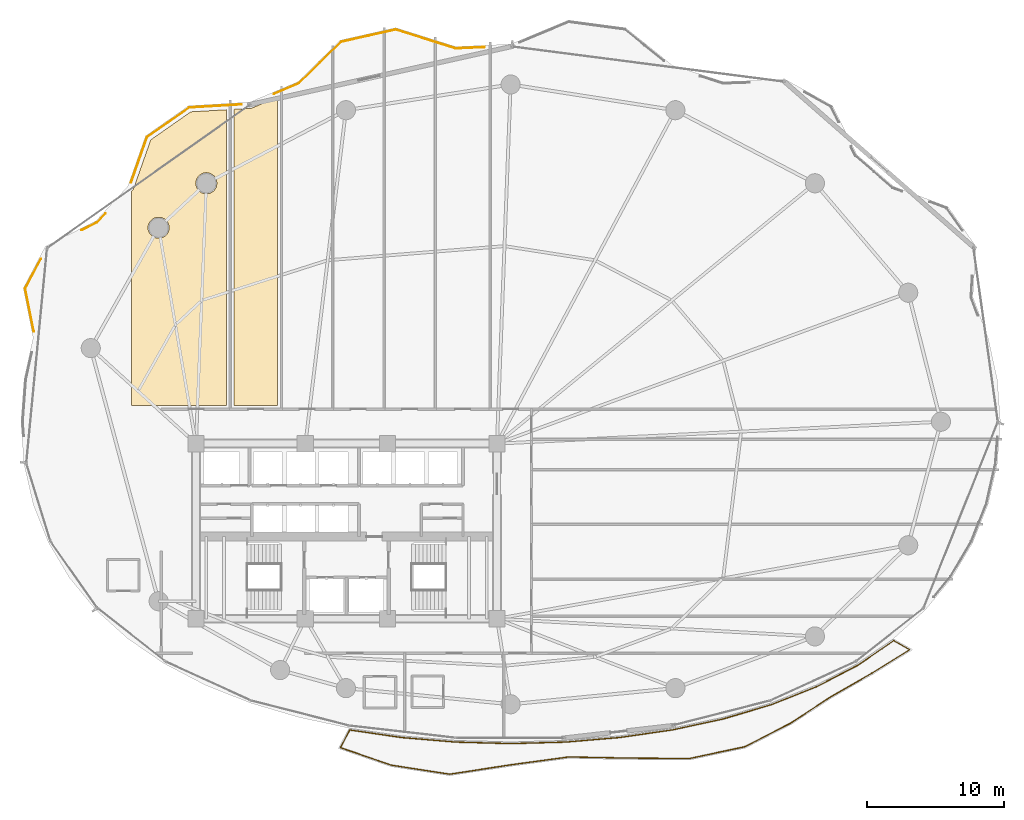
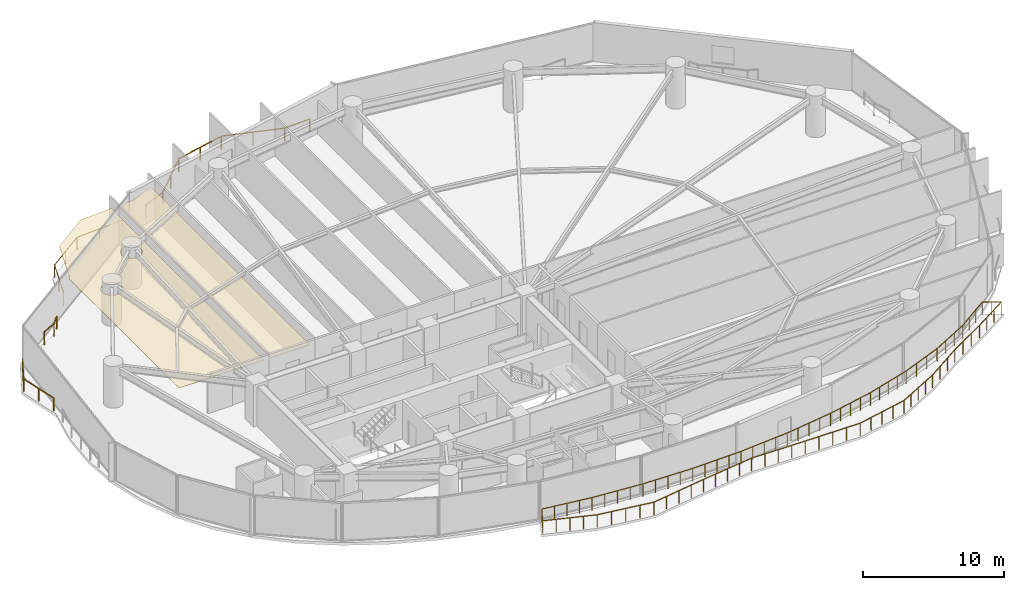
# One storey, part 31 of 32: 5 railings, 2 coverings.
"""IFC4 building model written with IfcOpenShell, lengths in metres."""

from ifc_helpers import new_model, si_unit, direction, frame, origin, origin_2d, place, context, subcontext, project, spatial, polyline, rectangle, outline, extrude, material, layer, layer_set, type_object, element, save


model = new_model("IFC4")

# Units and contexts
model_context = context("Model", 3, precision=1e-05, world=origin(), true_north=direction((0.0, 1.0)))
body_context = subcontext(model_context, "Body", "Model", "MODEL_VIEW")
ifc_project = project(units=[si_unit("LENGTHUNIT", "METRE"), si_unit("AREAUNIT", "SQUARE_METRE"), si_unit("VOLUMEUNIT", "CUBIC_METRE"), si_unit("PLANEANGLEUNIT", "RADIAN"), si_unit("MASSUNIT", "GRAM", prefix="KILO")], contexts=[model_context])

# Site, building, storey
site_placement = place(None, origin())
site = spatial("IfcSite", under=ifc_project, at=site_placement, CompositionType="ELEMENT")
building_placement = place(site_placement, origin())
building = spatial("IfcBuilding", under=site, at=building_placement, Name="Kazevale Care Tower and Concert Hall", CompositionType="ELEMENT")
storey_placement = place(building_placement, frame((0.0, 0.0, 42.0)))
storey = spatial("IfcBuildingStorey", under=building, at=storey_placement, Name="L10", CompositionType="ELEMENT", Elevation=42.0)

# Coverings
ifc_material_1 = material(Name="Acoustic Plaster and Hinoki Wood", Category="wood")
ifc_layer = layer(ifc_material_1, 0.0400390625)
ifc_layer_set = layer_set([ifc_layer], Name="Acoustic Plaster and Hinoki Wood")
covering_type = type_object("IfcCoveringType", Name="Acoustic Perforated Wood-Gypsum Ceiling", PredefinedType="CEILING", material=ifc_layer_set)
covering_1_placement = place(storey_placement, frame((0.0, 0.0, 2.7099609375)))
element("IfcCovering", 1, at=covering_1_placement, inside=storey, type_object=covering_type, Name="clg:L10:1", PredefinedType="CEILING", context=body_context, shape_type="SweptSolid", body=[
    extrude(outline(polyline([(24.219970703125, 60.805908203125), (24.219970703125, 39.205078125), (17.280029296875, 39.205078125), (17.280029296875, 54.822021484375), (17.4130859375, 54.966064453125), (18.69189453125, 58.60302734375), (21.6201171875, 60.652099609375), (24.219970703125, 60.805908203125)]), holes=[polyline([(23.48095703125, 55.72802734375), (23.31201171875, 55.98193359375), (23.05810546875, 56.15087890625), (22.760009765625, 56.2099609375), (22.4619140625, 56.15087890625), (22.2080078125, 55.98193359375), (22.0390625, 55.72802734375), (21.97998046875, 55.429931640625), (22.0390625, 55.132080078125), (22.2080078125, 54.8779296875), (22.4619140625, 54.708984375), (22.760009765625, 54.64990234375), (23.05810546875, 54.708984375), (23.31201171875, 54.8779296875), (23.48095703125, 55.132080078125), (23.5400390625, 55.429931640625), (23.48095703125, 55.72802734375)]), polyline([(20.034912109375, 52.33203125), (19.9189453125, 52.613037109375), (19.702880859375, 52.8291015625), (19.422119140625, 52.945068359375), (19.117919921875, 52.945068359375), (18.8369140625, 52.8291015625), (18.62109375, 52.613037109375), (18.5048828125, 52.33203125), (18.5048828125, 52.028076171875), (18.62109375, 51.7470703125), (18.8369140625, 51.531005859375), (19.117919921875, 51.4150390625), (19.422119140625, 51.4150390625), (19.702880859375, 51.531005859375), (19.9189453125, 51.7470703125), (20.034912109375, 52.028076171875), (20.034912109375, 52.33203125)])]), origin(), (0.0, 0.0, 1.0), 0.0400390625),
])
covering_2_placement = place(storey_placement, frame((0.0, 0.0, 2.7099609375)))
element("IfcCovering", 2, at=covering_2_placement, inside=storey, type_object=covering_type, Name="clg:L10:2", PredefinedType="CEILING", context=body_context, shape_type="SweptSolid", body=[
    extrude(outline(polyline([(24.780029296875, 39.205078125), (24.780029296875, 60.839111328125), (26.06005859375, 60.9150390625), (27.969970703125, 61.72900390625), (27.969970703125, 39.205078125), (24.780029296875, 39.205078125)])), origin(), (0.0, 0.0, 1.0), 0.0400390625),
])

# Railings
ifc_material_2 = material(Name="Anodised Bronze Aluminium and Laminated Glass", Category="aluminium")
railing_type = type_object("IfcRailingType", Name="Balcony and Terrace Balustrade 1120", PredefinedType="BALUSTRADE", material=ifc_material_2)
railing_1_placement = place(storey_placement, frame((10.15087890625, 44.5859375, 0.0)))
element("IfcRailing", 3, at=railing_1_placement, inside=storey, type_object=railing_type, Name="rail:L10:perim:2", PredefinedType="BALUSTRADE", context=body_context, shape_type="SweptSolid", body=[
    extrude(rectangle(XDim=0.048095703125, YDim=0.048095703125, at=origin_2d()), frame((0.0, 0.0, 1.09619140625), z_axis=(-0.197415517723, 0.980319903584, 0.0), x_axis=(-0.980319903584, -0.197415517723, 0.0)), (0.0, 0.0, 1.0), 3.21533203125),
    extrude(rectangle(XDim=0.048095703125, YDim=0.048095703125, at=origin_2d()), frame((-0.634765625, 3.152099609375, 1.09619140625), z_axis=(0.467294009077, 0.884101978892, 0.0), x_axis=(-0.884101978892, 0.467294009077, 0.0)), (0.0, 0.0, 1.0), 2.45654296875),
    extrude(rectangle(XDim=0.0419921875, YDim=0.0419921875, at=origin_2d()), origin(), (0.0, 0.0, 1.0), 1.072021484375),
    extrude(rectangle(XDim=0.0419921875, YDim=0.0419921875, at=origin_2d()), frame((-0.3173828125, 1.576171875, 0.0)), (0.0, 0.0, 1.0), 1.072021484375),
    extrude(rectangle(XDim=0.0419921875, YDim=0.0419921875, at=origin_2d()), frame((-0.634765625, 3.152099609375, 0.0)), (0.0, 0.0, 1.0), 1.072021484375),
    extrude(rectangle(XDim=0.0419921875, YDim=0.0419921875, at=origin_2d()), frame((-0.060791015625, 4.238037109375, 0.0)), (0.0, 0.0, 1.0), 1.072021484375),
    extrude(rectangle(XDim=0.0419921875, YDim=0.0419921875, at=origin_2d()), frame((0.51318359375, 5.323974609375, 0.0)), (0.0, 0.0, 1.0), 1.072021484375),
])
railing_2_placement = place(storey_placement, frame((13.639892578125, 52.0, 0.0)))
element("IfcRailing", 4, at=railing_2_placement, inside=storey, type_object=railing_type, Name="rail:L10:perim:3", PredefinedType="BALUSTRADE", context=body_context, shape_type="SweptSolid", body=[
    extrude(rectangle(XDim=0.048095703125, YDim=0.048095703125, at=origin_2d()), frame((0.0, 0.0, 1.09619140625), z_axis=(0.892998785329, 0.450059073235, 0.0), x_axis=(-0.450059073235, 0.892998785329, 0.0)), (0.0, 0.0, 1.0), 1.268798828125),
    extrude(rectangle(XDim=0.048095703125, YDim=0.048095703125, at=origin_2d()), frame((1.133056640625, 0.571044921875, 1.09619140625), z_axis=(0.677347108978, 0.735663573898, 0.0), x_axis=(-0.735663573898, 0.677347108978, 0.0)), (0.0, 0.0, 1.0), 0.8916015625),
    extrude(rectangle(XDim=0.0419921875, YDim=0.0419921875, at=origin_2d()), origin(), (0.0, 0.0, 1.0), 1.072021484375),
    extrude(rectangle(XDim=0.0419921875, YDim=0.0419921875, at=origin_2d()), frame((1.133056640625, 0.571044921875, 0.0)), (0.0, 0.0, 1.0), 1.072021484375),
    extrude(rectangle(XDim=0.0419921875, YDim=0.0419921875, at=origin_2d()), frame((1.737060546875, 1.22705078125, 0.0)), (0.0, 0.0, 1.0), 1.072021484375),
])
railing_3_placement = place(storey_placement, frame((17.256103515625, 55.485107421875, 0.0)))
element("IfcRailing", 5, at=railing_3_placement, inside=storey, type_object=railing_type, Name="rail:L10:perim:4", PredefinedType="BALUSTRADE", context=body_context, shape_type="SweptSolid", body=[
    extrude(rectangle(XDim=0.048095703125, YDim=0.048095703125, at=origin_2d()), frame((0.0, 0.0, 1.09619140625), z_axis=(0.331789638428, 0.943353399226, 0.0), x_axis=(-0.943353399226, 0.331789638428, 0.0)), (0.0, 0.0, 1.0), 3.520263671875),
    extrude(rectangle(XDim=0.048095703125, YDim=0.048095703125, at=origin_2d()), frame((1.16796875, 3.32080078125, 1.09619140625), z_axis=(0.819317150276, 0.573340568304, 0.0), x_axis=(-0.573340568304, 0.819317150276, 0.0)), (0.0, 0.0, 1.0), 3.767578125),
    extrude(rectangle(XDim=0.048095703125, YDim=0.048095703125, at=origin_2d()), frame((4.2548828125, 5.48095703125, 1.09619140625), z_axis=(0.998243706138, 0.05924105971, 0.0), x_axis=(-0.05924105971, 0.998243706138, 0.0)), (0.0, 0.0, 1.0), 3.832763671875),
    extrude(rectangle(XDim=0.0419921875, YDim=0.0419921875, at=origin_2d()), origin(), (0.0, 0.0, 1.0), 1.072021484375),
    extrude(rectangle(XDim=0.0419921875, YDim=0.0419921875, at=origin_2d()), frame((0.583984375, 1.660400390625, 0.0)), (0.0, 0.0, 1.0), 1.072021484375),
    extrude(rectangle(XDim=0.0419921875, YDim=0.0419921875, at=origin_2d()), frame((1.16796875, 3.32080078125, 0.0)), (0.0, 0.0, 1.0), 1.072021484375),
    extrude(rectangle(XDim=0.0419921875, YDim=0.0419921875, at=origin_2d()), frame((2.71142578125, 4.40087890625, 0.0)), (0.0, 0.0, 1.0), 1.072021484375),
    extrude(rectangle(XDim=0.0419921875, YDim=0.0419921875, at=origin_2d()), frame((4.2548828125, 5.48095703125, 0.0)), (0.0, 0.0, 1.0), 1.072021484375),
    extrude(rectangle(XDim=0.0419921875, YDim=0.0419921875, at=origin_2d()), frame((6.16796875, 5.594482421875, 0.0)), (0.0, 0.0, 1.0), 1.072021484375),
    extrude(rectangle(XDim=0.0419921875, YDim=0.0419921875, at=origin_2d()), frame((8.080810546875, 5.7080078125, 0.0)), (0.0, 0.0, 1.0), 1.072021484375),
])
railing_4_placement = place(storey_placement, frame((27.69091796875, 61.9580078125, 0.0)))
element("IfcRailing", 6, at=railing_4_placement, inside=storey, type_object=railing_type, Name="rail:L10:perim:5", PredefinedType="BALUSTRADE", context=body_context, shape_type="SweptSolid", body=[
    extrude(rectangle(XDim=0.048095703125, YDim=0.048095703125, at=origin_2d()), frame((0.0, 0.0, 1.09619140625), z_axis=(0.920032063091, 0.391843084517, 0.0), x_axis=(-0.391843084517, 0.920032063091, 0.0)), (0.0, 0.0, 1.0), 2.01611328125),
    extrude(rectangle(XDim=0.048095703125, YDim=0.048095703125, at=origin_2d()), frame((1.85498046875, 0.7900390625, 1.09619140625), z_axis=(0.711782228396, 0.702400213083, 0.0), x_axis=(-0.702400213083, 0.711782228396, 0.0)), (0.0, 0.0, 1.0), 4.293701171875),
    extrude(rectangle(XDim=0.048095703125, YDim=0.048095703125, at=origin_2d()), frame((4.9111328125, 3.805908203125, 1.09619140625), z_axis=(0.975507116128, 0.219967875798, 0.0), x_axis=(-0.219967875798, 0.975507116128, 0.0)), (0.0, 0.0, 1.0), 4.09228515625),
    extrude(rectangle(XDim=0.048095703125, YDim=0.048095703125, at=origin_2d()), frame((8.903076171875, 4.7060546875, 1.09619140625), z_axis=(0.953872379176, -0.300212398553, 0.0), x_axis=(0.300212398553, 0.953872379176, 0.0)), (0.0, 0.0, 1.0), 4.590576171875),
    extrude(rectangle(XDim=0.048095703125, YDim=0.048095703125, at=origin_2d()), frame((13.281982421875, 3.327880859375, 1.09619140625), z_axis=(0.999070924125, 0.043096270926, 0.0), x_axis=(-0.043096270926, 0.999070924125, 0.0)), (0.0, 0.0, 1.0), 2.113037109375),
    extrude(rectangle(XDim=0.0419921875, YDim=0.0419921875, at=origin_2d()), origin(), (0.0, 0.0, 1.0), 1.072021484375),
    extrude(rectangle(XDim=0.0419921875, YDim=0.0419921875, at=origin_2d()), frame((1.85498046875, 0.7900390625, 0.0)), (0.0, 0.0, 1.0), 1.072021484375),
    extrude(rectangle(XDim=0.0419921875, YDim=0.0419921875, at=origin_2d()), frame((3.383056640625, 2.2978515625, 0.0)), (0.0, 0.0, 1.0), 1.072021484375),
    extrude(rectangle(XDim=0.0419921875, YDim=0.0419921875, at=origin_2d()), frame((4.9111328125, 3.805908203125, 0.0)), (0.0, 0.0, 1.0), 1.072021484375),
    extrude(rectangle(XDim=0.0419921875, YDim=0.0419921875, at=origin_2d()), frame((6.9072265625, 4.255859375, 0.0)), (0.0, 0.0, 1.0), 1.072021484375),
    extrude(rectangle(XDim=0.0419921875, YDim=0.0419921875, at=origin_2d()), frame((8.903076171875, 4.7060546875, 0.0)), (0.0, 0.0, 1.0), 1.072021484375),
    extrude(rectangle(XDim=0.0419921875, YDim=0.0419921875, at=origin_2d()), frame((11.092529296875, 4.01708984375, 0.0)), (0.0, 0.0, 1.0), 1.072021484375),
    extrude(rectangle(XDim=0.0419921875, YDim=0.0419921875, at=origin_2d()), frame((13.281982421875, 3.327880859375, 0.0)), (0.0, 0.0, 1.0), 1.072021484375),
    extrude(rectangle(XDim=0.0419921875, YDim=0.0419921875, at=origin_2d()), frame((15.39306640625, 3.4189453125, 0.0)), (0.0, 0.0, 1.0), 1.072021484375),
])
railing_5_placement = place(storey_placement, frame((33.239990234375, 15.469970703125, 0.0)))
element("IfcRailing", 7, at=railing_5_placement, inside=storey, type_object=railing_type, Name="rail:L10:balcony", PredefinedType="BALUSTRADE", context=body_context, shape_type="SweptSolid", body=[
    extrude(rectangle(XDim=0.048095703125, YDim=0.048095703125, at=origin_2d()), frame((0.0, 0.0, 1.09619140625), z_axis=(0.98954153526, -0.144248223541, 0.0), x_axis=(0.144248223541, 0.98954153526, 0.0)), (0.0, 0.0, 1.0), 3.820068359375),
    extrude(rectangle(XDim=0.048095703125, YDim=0.048095703125, at=origin_2d()), frame((3.780029296875, -0.551025390625, 1.09619140625), z_axis=(0.996491809711, -0.083690341016, 0.0), x_axis=(0.083690341016, 0.996491809711, 0.0)), (0.0, 0.0, 1.0), 3.97900390625),
    extrude(rectangle(XDim=0.048095703125, YDim=0.048095703125, at=origin_2d()), frame((7.7451171875, -0.884033203125, 1.09619140625), z_axis=(0.999619139625, -0.027596660954, 0.0), x_axis=(0.027596660954, 0.999619139625, 0.0)), (0.0, 0.0, 1.0), 4.016357421875),
    extrude(rectangle(XDim=0.048095703125, YDim=0.048095703125, at=origin_2d()), frame((11.760009765625, -0.994873046875, 1.09619140625), z_axis=(0.999619139625, 0.027596660954, 0.0), x_axis=(-0.027596660954, 0.999619139625, 0.0)), (0.0, 0.0, 1.0), 4.016357421875),
    extrude(rectangle(XDim=0.048095703125, YDim=0.048095703125, at=origin_2d()), frame((15.77490234375, -0.884033203125, 1.09619140625), z_axis=(0.996491809711, 0.083690341016, 0.0), x_axis=(-0.083690341016, 0.996491809711, 0.0)), (0.0, 0.0, 1.0), 3.97900390625),
    extrude(rectangle(XDim=0.048095703125, YDim=0.048095703125, at=origin_2d()), frame((19.739990234375, -0.551025390625, 1.09619140625), z_axis=(0.989562148583, 0.144106745477, 0.0), x_axis=(-0.144106745477, 0.989562148583, 0.0)), (0.0, 0.0, 1.0), 3.90673828125),
    extrude(rectangle(XDim=0.048095703125, YDim=0.048095703125, at=origin_2d()), frame((23.60595703125, 0.011962890625, 1.09619140625), z_axis=(0.977622623243, 0.210366362622, 0.0), x_axis=(-0.210366362622, 0.977622623243, 0.0)), (0.0, 0.0, 1.0), 3.80322265625),
    extrude(rectangle(XDim=0.048095703125, YDim=0.048095703125, at=origin_2d()), frame((27.323974609375, 0.81201171875, 1.09619140625), z_axis=(0.958576059845, 0.28483668565, 0.0), x_axis=(-0.28483668565, 0.958576059845, 0.0)), (0.0, 0.0, 1.0), 3.67626953125),
    extrude(rectangle(XDim=0.048095703125, YDim=0.048095703125, at=origin_2d()), frame((30.847900390625, 1.859130859375, 1.09619140625), z_axis=(0.929364745906, 0.369162794803, 0.0), x_axis=(-0.369162794803, 0.929364745906, 0.0)), (0.0, 0.0, 1.0), 3.534912109375),
    extrude(rectangle(XDim=0.048095703125, YDim=0.048095703125, at=origin_2d()), frame((34.133056640625, 3.1640625, 1.09619140625), z_axis=(0.886249621896, 0.463207952965, 0.0), x_axis=(-0.463207952965, 0.886249621896, 0.0)), (0.0, 0.0, 1.0), 3.3916015625),
    extrude(rectangle(XDim=0.048095703125, YDim=0.048095703125, at=origin_2d()), frame((37.138916015625, 4.735107421875, 1.09619140625), z_axis=(0.825224295989, 0.564805153402, 0.0), x_axis=(-0.564805153402, 0.825224295989, 0.0)), (0.0, 0.0, 1.0), 3.17626953125),
    extrude(rectangle(XDim=0.048095703125, YDim=0.048095703125, at=origin_2d()), frame((39.760009765625, 6.529052734375, 1.09619140625), z_axis=(0.870074231568, -0.49292071529, 0.0), x_axis=(0.49292071529, 0.870074231568, 0.0)), (0.0, 0.0, 1.0), 1.34130859375),
    extrude(rectangle(XDim=0.048095703125, YDim=0.048095703125, at=origin_2d()), frame((40.927001953125, 5.867919921875, 1.09619140625), z_axis=(-0.849366024121, -0.52780427913, 0.0), x_axis=(0.52780427913, -0.849366024121, 0.0)), (0.0, 0.0, 1.0), 3.262451171875),
    extrude(rectangle(XDim=0.048095703125, YDim=0.048095703125, at=origin_2d()), frame((38.156005859375, 4.14599609375, 1.09619140625), z_axis=(-0.867074580716, -0.498178353078, 0.0), x_axis=(0.498178353078, -0.867074580716, 0.0)), (0.0, 0.0, 1.0), 3.478515625),
    extrude(rectangle(XDim=0.048095703125, YDim=0.048095703125, at=origin_2d()), frame((35.139892578125, 2.4130859375, 1.09619140625), z_axis=(-0.836151980864, -0.548497825791, 0.0), x_axis=(0.548497825791, -0.836151980864, 0.0)), (0.0, 0.0, 1.0), 3.496826171875),
    extrude(rectangle(XDim=0.048095703125, YDim=0.048095703125, at=origin_2d()), frame((32.216064453125, 0.4951171875, 1.09619140625), z_axis=(-0.889021964417, -0.457864550695, 0.0), x_axis=(0.457864550695, -0.889021964417, 0.0)), (0.0, 0.0, 1.0), 3.748046875),
    extrude(rectangle(XDim=0.048095703125, YDim=0.048095703125, at=origin_2d()), frame((28.884033203125, -1.220947265625, 1.09619140625), z_axis=(-0.978051319828, -0.208364142266, 0.0), x_axis=(0.208364142266, -0.978051319828, 0.0)), (0.0, 0.0, 1.0), 4.165283203125),
    extrude(rectangle(XDim=0.048095703125, YDim=0.048095703125, at=origin_2d()), frame((24.81005859375, -2.0888671875, 1.09619140625), z_axis=(-0.9999695836, 0.007799479135, 0.0), x_axis=(-0.007799479135, -0.9999695836, 0.0)), (0.0, 0.0, 1.0), 4.476318359375),
    extrude(rectangle(XDim=0.048095703125, YDim=0.048095703125, at=origin_2d()), frame((20.333984375, -2.053955078125, 1.09619140625), z_axis=(-0.999817479955, 0.019105150519, 0.0), x_axis=(-0.019105150519, -0.999817479955, 0.0)), (0.0, 0.0, 1.0), 4.3447265625),
    extrude(rectangle(XDim=0.048095703125, YDim=0.048095703125, at=origin_2d()), frame((15.989990234375, -1.970947265625, 1.09619140625), z_axis=(-0.99083155438, -0.135103037882, 0.0), x_axis=(0.135103037882, -0.99083155438, 0.0)), (0.0, 0.0, 1.0), 4.286376953125),
    extrude(rectangle(XDim=0.048095703125, YDim=0.048095703125, at=origin_2d()), frame((11.742919921875, -2.550048828125, 1.09619140625), z_axis=(-0.988433847852, -0.151652657149, 0.0), x_axis=(0.151652657149, -0.988433847852, 0.0)), (0.0, 0.0, 1.0), 4.489990234375),
    extrude(rectangle(XDim=0.048095703125, YDim=0.048095703125, at=origin_2d()), frame((7.304931640625, -3.23095703125, 1.09619140625), z_axis=(-0.988250449008, 0.152843220442, 0.0), x_axis=(-0.152843220442, -0.988250449008, 0.0)), (0.0, 0.0, 1.0), 4.317626953125),
    extrude(rectangle(XDim=0.048095703125, YDim=0.048095703125, at=origin_2d()), frame((3.0380859375, -2.571044921875, 1.09619140625), z_axis=(-0.945380238076, 0.325969638856, 0.0), x_axis=(-0.325969638856, -0.945380238076, 0.0)), (0.0, 0.0, 1.0), 3.932861328125),
    extrude(rectangle(XDim=0.048095703125, YDim=0.048095703125, at=origin_2d()), frame((-0.679931640625, -1.2890625, 1.09619140625), z_axis=(0.466540234237, 0.884499977297, 0.0), x_axis=(-0.884499977297, 0.466540234237, 0.0)), (0.0, 0.0, 1.0), 1.457275390625),
    extrude(rectangle(XDim=0.0419921875, YDim=0.0419921875, at=origin_2d()), origin(), (0.0, 0.0, 1.0), 1.072021484375),
    extrude(rectangle(XDim=0.0419921875, YDim=0.0419921875, at=origin_2d()), frame((0.945068359375, -0.1376953125, 0.0)), (0.0, 0.0, 1.0), 1.072021484375),
    extrude(rectangle(XDim=0.0419921875, YDim=0.0419921875, at=origin_2d()), frame((1.89013671875, -0.275390625, 0.0)), (0.0, 0.0, 1.0), 1.072021484375),
    extrude(rectangle(XDim=0.0419921875, YDim=0.0419921875, at=origin_2d()), frame((2.8349609375, -0.413330078125, 0.0)), (0.0, 0.0, 1.0), 1.072021484375),
    extrude(rectangle(XDim=0.0419921875, YDim=0.0419921875, at=origin_2d()), frame((3.780029296875, -0.551025390625, 0.0)), (0.0, 0.0, 1.0), 1.072021484375),
    extrude(rectangle(XDim=0.0419921875, YDim=0.0419921875, at=origin_2d()), frame((4.771240234375, -0.63427734375, 0.0)), (0.0, 0.0, 1.0), 1.072021484375),
    extrude(rectangle(XDim=0.0419921875, YDim=0.0419921875, at=origin_2d()), frame((5.7626953125, -0.717529296875, 0.0)), (0.0, 0.0, 1.0), 1.072021484375),
    extrude(rectangle(XDim=0.0419921875, YDim=0.0419921875, at=origin_2d()), frame((6.75390625, -0.80078125, 0.0)), (0.0, 0.0, 1.0), 1.072021484375),
    extrude(rectangle(XDim=0.0419921875, YDim=0.0419921875, at=origin_2d()), frame((7.7451171875, -0.884033203125, 0.0)), (0.0, 0.0, 1.0), 1.072021484375),
    extrude(rectangle(XDim=0.0419921875, YDim=0.0419921875, at=origin_2d()), frame((8.748779296875, -0.91162109375, 0.0)), (0.0, 0.0, 1.0), 1.072021484375),
    extrude(rectangle(XDim=0.0419921875, YDim=0.0419921875, at=origin_2d()), frame((9.75244140625, -0.939453125, 0.0)), (0.0, 0.0, 1.0), 1.072021484375),
    extrude(rectangle(XDim=0.0419921875, YDim=0.0419921875, at=origin_2d()), frame((10.75634765625, -0.96728515625, 0.0)), (0.0, 0.0, 1.0), 1.072021484375),
    extrude(rectangle(XDim=0.0419921875, YDim=0.0419921875, at=origin_2d()), frame((11.760009765625, -0.994873046875, 0.0)), (0.0, 0.0, 1.0), 1.072021484375),
    extrude(rectangle(XDim=0.0419921875, YDim=0.0419921875, at=origin_2d()), frame((12.763671875, -0.96728515625, 0.0)), (0.0, 0.0, 1.0), 1.072021484375),
    extrude(rectangle(XDim=0.0419921875, YDim=0.0419921875, at=origin_2d()), frame((13.767578125, -0.939453125, 0.0)), (0.0, 0.0, 1.0), 1.072021484375),
    extrude(rectangle(XDim=0.0419921875, YDim=0.0419921875, at=origin_2d()), frame((14.771240234375, -0.91162109375, 0.0)), (0.0, 0.0, 1.0), 1.072021484375),
    extrude(rectangle(XDim=0.0419921875, YDim=0.0419921875, at=origin_2d()), frame((15.77490234375, -0.884033203125, 0.0)), (0.0, 0.0, 1.0), 1.072021484375),
    extrude(rectangle(XDim=0.0419921875, YDim=0.0419921875, at=origin_2d()), frame((16.76611328125, -0.80078125, 0.0)), (0.0, 0.0, 1.0), 1.072021484375),
    extrude(rectangle(XDim=0.0419921875, YDim=0.0419921875, at=origin_2d()), frame((17.75732421875, -0.717529296875, 0.0)), (0.0, 0.0, 1.0), 1.072021484375),
    extrude(rectangle(XDim=0.0419921875, YDim=0.0419921875, at=origin_2d()), frame((18.748779296875, -0.63427734375, 0.0)), (0.0, 0.0, 1.0), 1.072021484375),
    extrude(rectangle(XDim=0.0419921875, YDim=0.0419921875, at=origin_2d()), frame((19.739990234375, -0.551025390625, 0.0)), (0.0, 0.0, 1.0), 1.072021484375),
    extrude(rectangle(XDim=0.0419921875, YDim=0.0419921875, at=origin_2d()), frame((20.70654296875, -0.41015625, 0.0)), (0.0, 0.0, 1.0), 1.072021484375),
    extrude(rectangle(XDim=0.0419921875, YDim=0.0419921875, at=origin_2d()), frame((21.6728515625, -0.26953125, 0.0)), (0.0, 0.0, 1.0), 1.072021484375),
    extrude(rectangle(XDim=0.0419921875, YDim=0.0419921875, at=origin_2d()), frame((22.639404296875, -0.12890625, 0.0)), (0.0, 0.0, 1.0), 1.072021484375),
    extrude(rectangle(XDim=0.0419921875, YDim=0.0419921875, at=origin_2d()), frame((23.60595703125, 0.011962890625, 0.0)), (0.0, 0.0, 1.0), 1.072021484375),
    extrude(rectangle(XDim=0.0419921875, YDim=0.0419921875, at=origin_2d()), frame((24.535400390625, 0.2119140625, 0.0)), (0.0, 0.0, 1.0), 1.072021484375),
    extrude(rectangle(XDim=0.0419921875, YDim=0.0419921875, at=origin_2d()), frame((25.46484375, 0.412109375, 0.0)), (0.0, 0.0, 1.0), 1.072021484375),
    extrude(rectangle(XDim=0.0419921875, YDim=0.0419921875, at=origin_2d()), frame((26.39453125, 0.612060546875, 0.0)), (0.0, 0.0, 1.0), 1.072021484375),
    extrude(rectangle(XDim=0.0419921875, YDim=0.0419921875, at=origin_2d()), frame((27.323974609375, 0.81201171875, 0.0)), (0.0, 0.0, 1.0), 1.072021484375),
    extrude(rectangle(XDim=0.0419921875, YDim=0.0419921875, at=origin_2d()), frame((28.205078125, 1.07373046875, 0.0)), (0.0, 0.0, 1.0), 1.072021484375),
    extrude(rectangle(XDim=0.0419921875, YDim=0.0419921875, at=origin_2d()), frame((29.0859375, 1.33544921875, 0.0)), (0.0, 0.0, 1.0), 1.072021484375),
    extrude(rectangle(XDim=0.0419921875, YDim=0.0419921875, at=origin_2d()), frame((29.966796875, 1.597412109375, 0.0)), (0.0, 0.0, 1.0), 1.072021484375),
    extrude(rectangle(XDim=0.0419921875, YDim=0.0419921875, at=origin_2d()), frame((30.847900390625, 1.859130859375, 0.0)), (0.0, 0.0, 1.0), 1.072021484375),
    extrude(rectangle(XDim=0.0419921875, YDim=0.0419921875, at=origin_2d()), frame((31.94287109375, 2.294189453125, 0.0)), (0.0, 0.0, 1.0), 1.072021484375),
    extrude(rectangle(XDim=0.0419921875, YDim=0.0419921875, at=origin_2d()), frame((33.0380859375, 2.72900390625, 0.0)), (0.0, 0.0, 1.0), 1.072021484375),
    extrude(rectangle(XDim=0.0419921875, YDim=0.0419921875, at=origin_2d()), frame((34.133056640625, 3.1640625, 0.0)), (0.0, 0.0, 1.0), 1.072021484375),
    extrude(rectangle(XDim=0.0419921875, YDim=0.0419921875, at=origin_2d()), frame((35.135009765625, 3.687744140625, 0.0)), (0.0, 0.0, 1.0), 1.072021484375),
    extrude(rectangle(XDim=0.0419921875, YDim=0.0419921875, at=origin_2d()), frame((36.136962890625, 4.21142578125, 0.0)), (0.0, 0.0, 1.0), 1.072021484375),
    extrude(rectangle(XDim=0.0419921875, YDim=0.0419921875, at=origin_2d()), frame((37.138916015625, 4.735107421875, 0.0)), (0.0, 0.0, 1.0), 1.072021484375),
    extrude(rectangle(XDim=0.0419921875, YDim=0.0419921875, at=origin_2d()), frame((38.0126953125, 5.3330078125, 0.0)), (0.0, 0.0, 1.0), 1.072021484375),
    extrude(rectangle(XDim=0.0419921875, YDim=0.0419921875, at=origin_2d()), frame((38.88623046875, 5.93115234375, 0.0)), (0.0, 0.0, 1.0), 1.072021484375),
    extrude(rectangle(XDim=0.0419921875, YDim=0.0419921875, at=origin_2d()), frame((39.760009765625, 6.529052734375, 0.0)), (0.0, 0.0, 1.0), 1.072021484375),
    extrude(rectangle(XDim=0.0419921875, YDim=0.0419921875, at=origin_2d()), frame((40.343505859375, 6.198486328125, 0.0)), (0.0, 0.0, 1.0), 1.072021484375),
    extrude(rectangle(XDim=0.0419921875, YDim=0.0419921875, at=origin_2d()), frame((40.927001953125, 5.867919921875, 0.0)), (0.0, 0.0, 1.0), 1.072021484375),
    extrude(rectangle(XDim=0.0419921875, YDim=0.0419921875, at=origin_2d()), frame((40.00341796875, 5.2939453125, 0.0)), (0.0, 0.0, 1.0), 1.072021484375),
    extrude(rectangle(XDim=0.0419921875, YDim=0.0419921875, at=origin_2d()), frame((39.07958984375, 4.719970703125, 0.0)), (0.0, 0.0, 1.0), 1.072021484375),
    extrude(rectangle(XDim=0.0419921875, YDim=0.0419921875, at=origin_2d()), frame((38.156005859375, 4.14599609375, 0.0)), (0.0, 0.0, 1.0), 1.072021484375),
    extrude(rectangle(XDim=0.0419921875, YDim=0.0419921875, at=origin_2d()), frame((37.150634765625, 3.568359375, 0.0)), (0.0, 0.0, 1.0), 1.072021484375),
    extrude(rectangle(XDim=0.0419921875, YDim=0.0419921875, at=origin_2d()), frame((36.145263671875, 2.99072265625, 0.0)), (0.0, 0.0, 1.0), 1.072021484375),
    extrude(rectangle(XDim=0.0419921875, YDim=0.0419921875, at=origin_2d()), frame((35.139892578125, 2.4130859375, 0.0)), (0.0, 0.0, 1.0), 1.072021484375),
    extrude(rectangle(XDim=0.0419921875, YDim=0.0419921875, at=origin_2d()), frame((34.165283203125, 1.773681640625, 0.0)), (0.0, 0.0, 1.0), 1.072021484375),
    extrude(rectangle(XDim=0.0419921875, YDim=0.0419921875, at=origin_2d()), frame((33.190673828125, 1.134521484375, 0.0)), (0.0, 0.0, 1.0), 1.072021484375),
    extrude(rectangle(XDim=0.0419921875, YDim=0.0419921875, at=origin_2d()), frame((32.216064453125, 0.4951171875, 0.0)), (0.0, 0.0, 1.0), 1.072021484375),
    extrude(rectangle(XDim=0.0419921875, YDim=0.0419921875, at=origin_2d()), frame((31.383056640625, 0.066162109375, 0.0)), (0.0, 0.0, 1.0), 1.072021484375),
    extrude(rectangle(XDim=0.0419921875, YDim=0.0419921875, at=origin_2d()), frame((30.550048828125, -0.36279296875, 0.0)), (0.0, 0.0, 1.0), 1.072021484375),
    extrude(rectangle(XDim=0.0419921875, YDim=0.0419921875, at=origin_2d()), frame((29.717041015625, -0.7919921875, 0.0)), (0.0, 0.0, 1.0), 1.072021484375),
    extrude(rectangle(XDim=0.0419921875, YDim=0.0419921875, at=origin_2d()), frame((28.884033203125, -1.220947265625, 0.0)), (0.0, 0.0, 1.0), 1.072021484375),
    extrude(rectangle(XDim=0.0419921875, YDim=0.0419921875, at=origin_2d()), frame((27.865478515625, -1.43798828125, 0.0)), (0.0, 0.0, 1.0), 1.072021484375),
    extrude(rectangle(XDim=0.0419921875, YDim=0.0419921875, at=origin_2d()), frame((26.84716796875, -1.65478515625, 0.0)), (0.0, 0.0, 1.0), 1.072021484375),
    extrude(rectangle(XDim=0.0419921875, YDim=0.0419921875, at=origin_2d()), frame((25.82861328125, -1.871826171875, 0.0)), (0.0, 0.0, 1.0), 1.072021484375),
    extrude(rectangle(XDim=0.0419921875, YDim=0.0419921875, at=origin_2d()), frame((24.81005859375, -2.0888671875, 0.0)), (0.0, 0.0, 1.0), 1.072021484375),
    extrude(rectangle(XDim=0.0419921875, YDim=0.0419921875, at=origin_2d()), frame((23.69091796875, -2.080078125, 0.0)), (0.0, 0.0, 1.0), 1.072021484375),
    extrude(rectangle(XDim=0.0419921875, YDim=0.0419921875, at=origin_2d()), frame((22.572021484375, -2.0712890625, 0.0)), (0.0, 0.0, 1.0), 1.072021484375),
    extrude(rectangle(XDim=0.0419921875, YDim=0.0419921875, at=origin_2d()), frame((21.453125, -2.062744140625, 0.0)), (0.0, 0.0, 1.0), 1.072021484375),
    extrude(rectangle(XDim=0.0419921875, YDim=0.0419921875, at=origin_2d()), frame((20.333984375, -2.053955078125, 0.0)), (0.0, 0.0, 1.0), 1.072021484375),
    extrude(rectangle(XDim=0.0419921875, YDim=0.0419921875, at=origin_2d()), frame((19.248046875, -2.033203125, 0.0)), (0.0, 0.0, 1.0), 1.072021484375),
    extrude(rectangle(XDim=0.0419921875, YDim=0.0419921875, at=origin_2d()), frame((18.162109375, -2.012451171875, 0.0)), (0.0, 0.0, 1.0), 1.072021484375),
    extrude(rectangle(XDim=0.0419921875, YDim=0.0419921875, at=origin_2d()), frame((17.075927734375, -1.99169921875, 0.0)), (0.0, 0.0, 1.0), 1.072021484375),
    extrude(rectangle(XDim=0.0419921875, YDim=0.0419921875, at=origin_2d()), frame((15.989990234375, -1.970947265625, 0.0)), (0.0, 0.0, 1.0), 1.072021484375),
    extrude(rectangle(XDim=0.0419921875, YDim=0.0419921875, at=origin_2d()), frame((14.92822265625, -2.11572265625, 0.0)), (0.0, 0.0, 1.0), 1.072021484375),
    extrude(rectangle(XDim=0.0419921875, YDim=0.0419921875, at=origin_2d()), frame((13.866455078125, -2.260498046875, 0.0)), (0.0, 0.0, 1.0), 1.072021484375),
    extrude(rectangle(XDim=0.0419921875, YDim=0.0419921875, at=origin_2d()), frame((12.8046875, -2.4052734375, 0.0)), (0.0, 0.0, 1.0), 1.072021484375),
    extrude(rectangle(XDim=0.0419921875, YDim=0.0419921875, at=origin_2d()), frame((11.742919921875, -2.550048828125, 0.0)), (0.0, 0.0, 1.0), 1.072021484375),
    extrude(rectangle(XDim=0.0419921875, YDim=0.0419921875, at=origin_2d()), frame((10.63330078125, -2.72021484375, 0.0)), (0.0, 0.0, 1.0), 1.072021484375),
    extrude(rectangle(XDim=0.0419921875, YDim=0.0419921875, at=origin_2d()), frame((9.52392578125, -2.890625, 0.0)), (0.0, 0.0, 1.0), 1.072021484375),
    extrude(rectangle(XDim=0.0419921875, YDim=0.0419921875, at=origin_2d()), frame((8.41455078125, -3.060791015625, 0.0)), (0.0, 0.0, 1.0), 1.072021484375),
    extrude(rectangle(XDim=0.0419921875, YDim=0.0419921875, at=origin_2d()), frame((7.304931640625, -3.23095703125, 0.0)), (0.0, 0.0, 1.0), 1.072021484375),
    extrude(rectangle(XDim=0.0419921875, YDim=0.0419921875, at=origin_2d()), frame((6.23828125, -3.06591796875, 0.0)), (0.0, 0.0, 1.0), 1.072021484375),
    extrude(rectangle(XDim=0.0419921875, YDim=0.0419921875, at=origin_2d()), frame((5.17138671875, -2.90087890625, 0.0)), (0.0, 0.0, 1.0), 1.072021484375),
    extrude(rectangle(XDim=0.0419921875, YDim=0.0419921875, at=origin_2d()), frame((4.104736328125, -2.736083984375, 0.0)), (0.0, 0.0, 1.0), 1.072021484375),
    extrude(rectangle(XDim=0.0419921875, YDim=0.0419921875, at=origin_2d()), frame((3.0380859375, -2.571044921875, 0.0)), (0.0, 0.0, 1.0), 1.072021484375),
    extrude(rectangle(XDim=0.0419921875, YDim=0.0419921875, at=origin_2d()), frame((2.108642578125, -2.25048828125, 0.0)), (0.0, 0.0, 1.0), 1.072021484375),
    extrude(rectangle(XDim=0.0419921875, YDim=0.0419921875, at=origin_2d()), frame((1.17919921875, -1.93017578125, 0.0)), (0.0, 0.0, 1.0), 1.072021484375),
    extrude(rectangle(XDim=0.0419921875, YDim=0.0419921875, at=origin_2d()), frame((0.24951171875, -1.609619140625, 0.0)), (0.0, 0.0, 1.0), 1.072021484375),
    extrude(rectangle(XDim=0.0419921875, YDim=0.0419921875, at=origin_2d()), frame((-0.679931640625, -1.2890625, 0.0)), (0.0, 0.0, 1.0), 1.072021484375),
    extrude(rectangle(XDim=0.0419921875, YDim=0.0419921875, at=origin_2d()), frame((-0.33984375, -0.64453125, 0.0)), (0.0, 0.0, 1.0), 1.072021484375),
])

save(model, "model.ifc")
